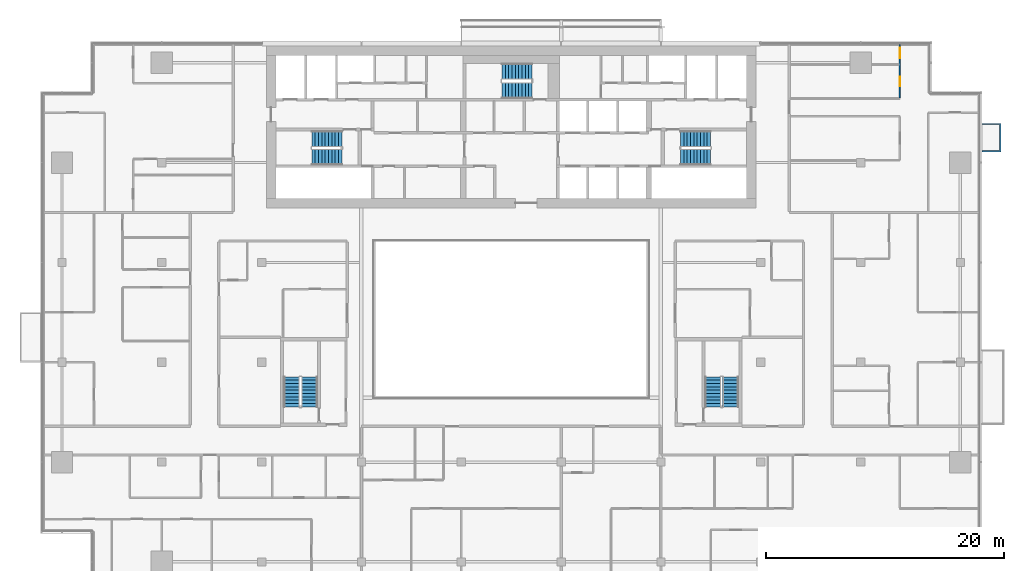
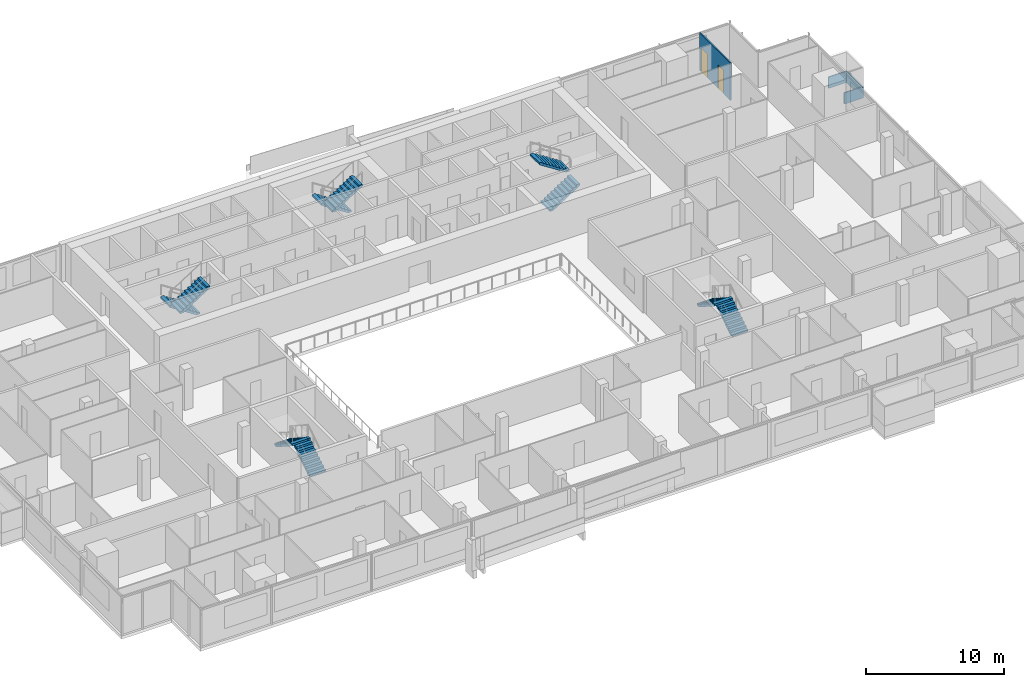
# One storey, part 24 of 27: 10 stair flights, 2 doors, 2 walls, 2 openings, 5 elements without a shape of their own.
"""IFC4 building model written with IfcOpenShell, lengths in metres."""

from ifc_helpers import new_model, si_unit, direction, frame, frame_2d, origin, place, context, subcontext, project, spatial, polyline, rectangle, outline, extrude, material, layer, layer_set, type_object, element, fill, aggregate, save


model = new_model("IFC4")

# Units and contexts
model_context = context("Model", 3, precision=1e-05, world=origin(), true_north=direction((0.0, 1.0)))
body_context = subcontext(model_context, "Body", "Model", "MODEL_VIEW")
ifc_project = project(units=[si_unit("LENGTHUNIT", "METRE"), si_unit("AREAUNIT", "SQUARE_METRE"), si_unit("VOLUMEUNIT", "CUBIC_METRE"), si_unit("PLANEANGLEUNIT", "RADIAN"), si_unit("MASSUNIT", "GRAM", prefix="KILO")], contexts=[model_context])

# Site, building, storey
site_placement = place(None, origin())
site = spatial("IfcSite", under=ifc_project, at=site_placement, CompositionType="ELEMENT")
building_placement = place(site_placement, origin())
building = spatial("IfcBuilding", under=site, at=building_placement, Name="Saffron Gate Tower", CompositionType="ELEMENT")
storey_placement = place(building_placement, frame((0.0, 0.0, 172.64990234375)))
storey = spatial("IfcBuildingStorey", under=building, at=storey_placement, Name="L42", CompositionType="ELEMENT", Elevation=172.64990234375)

# Wall, openings, doors
ifc_material_1 = material(Name="Plasterboard on steel studs", Category="steel")
ifc_layer_1 = layer(ifc_material_1, 0.10009765625)
ifc_layer_set_1 = layer_set([ifc_layer_1], Name="PW1 Partition 100")
wall_type_1 = type_object("IfcWallType", Name="PW1 Partition 100", PredefinedType="PARTITIONING", material=ifc_layer_set_1)
wall_1_placement = place(storey_placement, frame((120.300048828125, 70.85009765625, 0.0), z_axis=(0.0, 0.0, 1.0), x_axis=(0.0, 1.0, 0.0)))
wall_1 = element("IfcWall", 1, at=wall_1_placement, inside=storey, type_object=wall_type_1, Name="Partition C3-114", PredefinedType="PARTITIONING", context=body_context, shape_type="SweptSolid", body=[
    extrude(rectangle(XDim=4.469970703125, YDim=0.10009765625, at=frame_2d((2.23486328125, 0.0))), origin(), (0.0, 0.0, 1.0), 3.320068359375),
])
opening_1_placement = place(wall_1_placement, frame((0.974609375, 0.0, 0.0)))
opening_1 = element("IfcOpeningElement", 2, at=opening_1_placement, cuts=wall_1, Name="Opening C3-52", PredefinedType="OPENING", context=body_context, shape_type="SweptSolid", body=[
    extrude(rectangle(XDim=0.800048828125, YDim=2.10009765625, at=frame_2d((0.39990234375, 1.050048828125))), frame((0.0, 0.06005859375, 0.0), z_axis=(0.0, -1.0, 0.0), x_axis=(1.0, 0.0, 0.0)), (0.0, 0.0, 1.0), 0.1201171875),
])
opening_2_placement = place(wall_1_placement, frame((3.32470703125, 0.0, 0.0)))
opening_2 = element("IfcOpeningElement", 3, at=opening_2_placement, cuts=wall_1, Name="Opening C3-37", PredefinedType="OPENING", context=body_context, shape_type="SweptSolid", body=[
    extrude(rectangle(XDim=0.89990234375, YDim=2.10009765625, at=frame_2d((0.449951171875, 1.050048828125))), frame((0.0, 0.06005859375, 0.0), z_axis=(0.0, -1.0, 0.0), x_axis=(1.0, 0.0, 0.0)), (0.0, 0.0, 1.0), 0.1201171875),
])
ifc_material_2 = material(Name="Timber door set", Category="wood")
door_type_1 = type_object("IfcDoorType", Name="RD1 Room door 900x2100", OperationType="NOTDEFINED", PredefinedType="DOOR", material=ifc_material_2)
door_1_placement = place(opening_2_placement, origin())
door_1 = element("IfcDoor", 4, at=door_1_placement, inside=storey, type_object=door_type_1, Name="Door C3-37", OperationType="SINGLE_SWING_RIGHT", OverallHeight=2.10009765625, OverallWidth=0.89990234375, PredefinedType="DOOR", context=body_context, shape_type="SweptSolid", body=[
    extrude(rectangle(XDim=0.89990234375, YDim=2.10009765625, at=frame_2d((0.449951171875, 1.050048828125))), frame((0.0, 0.02490234375, 0.0), z_axis=(0.0, -1.0, 0.0), x_axis=(1.0, 0.0, 0.0)), (0.0, 0.0, 1.0), 0.050048828125),
])
fill(opening_2, door_1)
door_type_2 = type_object("IfcDoorType", Name="RD2 Bathroom door 800x2100", OperationType="NOTDEFINED", PredefinedType="DOOR", material=ifc_material_2)
door_2_placement = place(opening_1_placement, origin())
door_2 = element("IfcDoor", 5, at=door_2_placement, inside=storey, type_object=door_type_2, Name="Door C3-52", OperationType="SINGLE_SWING_LEFT", OverallHeight=2.10009765625, OverallWidth=0.800048828125, PredefinedType="DOOR", context=body_context, shape_type="SweptSolid", body=[
    extrude(rectangle(XDim=0.800048828125, YDim=2.10009765625, at=frame_2d((0.39990234375, 1.050048828125))), frame((0.0, 0.02490234375, 0.0), z_axis=(0.0, -1.0, 0.0), x_axis=(1.0, 0.0, 0.0)), (0.0, 0.0, 1.0), 0.050048828125),
])
fill(opening_1, door_2)

# Wall
ifc_material_3 = material(Name="Rendered insulated panel, white")
ifc_layer_2 = layer(ifc_material_3, 0.10009765625)
ifc_layer_set_2 = layer_set([ifc_layer_2], Name="WB3 box parapet white")
wall_type_2 = type_object("IfcWallType", Name="WB3 box parapet white", PredefinedType="SOLIDWALL", material=ifc_layer_set_2)
wall_2_placement = place(storey_placement, origin())
element("IfcWall", 6, at=wall_2_placement, inside=storey, type_object=wall_type_2, Name="WINDOW BOX parapet", PredefinedType="SOLIDWALL", context=body_context, shape_type="SweptSolid", body=[
    extrude(outline(polyline([(127.199951171875, 66.300048828125), (127.199951171875, 66.39990234375), (128.699951171875, 66.39990234375), (128.699951171875, 68.60009765625), (127.199951171875, 68.60009765625), (127.199951171875, 68.699951171875), (128.800048828125, 68.699951171875), (128.800048828125, 66.300048828125), (127.199951171875, 66.300048828125)])), origin(), (0.0, 0.0, 1.0), 1.0),
])

# Stair, stair flights
ifc_material_4 = material(Name="Concrete C40", Category="concrete")
stair_type = type_object("IfcStairType", Name="ST7 Stair 1350 wide, 20 risers of 180", PredefinedType="HALF_TURN_STAIR", material=ifc_material_4)
stair_1_placement = place(storey_placement, origin())
stair_1 = element("IfcStair", 7, at=stair_1_placement, inside=storey, type_object=stair_type, Name="L42 Exit stair A", PredefinedType="HALF_TURN_STAIR")
stair_flight_type = type_object("IfcStairFlightType", Name="SF3 Stair flight 1350 wide, riser 180 going 280", PredefinedType="STRAIGHT", material=ifc_material_4)
stair_flight_1_placement = place(storey_placement, frame((73.35009765625, 67.375, 0.0), z_axis=(0.0, 0.0, 1.0), x_axis=(-1.0, 0.0, 0.0)))
stair_flight_1 = element("IfcStairFlight", 8, at=stair_flight_1_placement, type_object=stair_flight_type, Name="ST-A flight 1", NumberOfRisers=10, NumberOfTreads=9, PredefinedType="STRAIGHT", RiserHeight=0.18, TreadLength=0.28, context=body_context, shape_type="SweptSolid", body=[
    extrude(outline(polyline([(0.0, 0.0), (0.0, 0.179931640625), (0.280029296875, 0.179931640625), (0.280029296875, 0.360107421875), (0.56005859375, 0.360107421875), (0.56005859375, 0.5400390625), (0.840087890625, 0.5400390625), (0.840087890625, 0.719970703125), (1.1201171875, 0.719970703125), (1.1201171875, 0.89990234375), (1.39990234375, 0.89990234375), (1.39990234375, 1.080078125), (1.679931640625, 1.080078125), (1.679931640625, 1.260009765625), (1.9599609375, 1.260009765625), (1.9599609375, 1.43994140625), (2.239990234375, 1.43994140625), (2.239990234375, 1.6201171875), (2.52001953125, 1.6201171875), (2.52001953125, 1.800048828125), (2.52001953125, 1.44189453125), (0.277099609375, 0.0), (0.0, 0.0)])), frame((0.0, 0.675048828125, 0.0), z_axis=(0.0, -1.0, 0.0), x_axis=(1.0, 0.0, 0.0)), (0.0, 0.0, 1.0), 1.35009765625),
])
stair_flight_2_placement = place(storey_placement, frame((70.830078125, 65.875, 1.800048828125), z_axis=(0.0, 0.0, 1.0), x_axis=(1.0, 0.0, 0.0)))
stair_flight_2 = element("IfcStairFlight", 9, at=stair_flight_2_placement, type_object=stair_flight_type, Name="ST-A flight 2", NumberOfRisers=10, NumberOfTreads=9, PredefinedType="STRAIGHT", RiserHeight=0.18, TreadLength=0.28, context=body_context, shape_type="SweptSolid", body=[
    extrude(outline(polyline([(0.0, 0.0), (0.0, 0.179931640625), (0.280029296875, 0.179931640625), (0.280029296875, 0.360107421875), (0.56005859375, 0.360107421875), (0.56005859375, 0.5400390625), (0.840087890625, 0.5400390625), (0.840087890625, 0.719970703125), (1.1201171875, 0.719970703125), (1.1201171875, 0.89990234375), (1.39990234375, 0.89990234375), (1.39990234375, 1.080078125), (1.679931640625, 1.080078125), (1.679931640625, 1.260009765625), (1.9599609375, 1.260009765625), (1.9599609375, 1.43994140625), (2.239990234375, 1.43994140625), (2.239990234375, 1.6201171875), (2.52001953125, 1.6201171875), (2.52001953125, 1.800048828125), (2.52001953125, 1.44189453125), (0.277099609375, 0.0), (0.0, 0.0)])), frame((0.0, 0.675048828125, 0.0), z_axis=(0.0, -1.0, 0.0), x_axis=(1.0, 0.0, 0.0)), (0.0, 0.0, 1.0), 1.35009765625),
])
aggregate(stair_1, [stair_flight_1, stair_flight_2])

stair_2_placement = place(storey_placement, origin())
stair_2 = element("IfcStair", 10, at=stair_2_placement, inside=storey, type_object=stair_type, Name="L42 Exit stair B", PredefinedType="HALF_TURN_STAIR")
stair_flight_3_placement = place(storey_placement, frame((101.85009765625, 65.875, 0.0), z_axis=(0.0, 0.0, 1.0), x_axis=(1.0, 0.0, 0.0)))
stair_flight_3 = element("IfcStairFlight", 11, at=stair_flight_3_placement, type_object=stair_flight_type, Name="ST-B flight 1", NumberOfRisers=10, NumberOfTreads=9, PredefinedType="STRAIGHT", RiserHeight=0.18, TreadLength=0.28, context=body_context, shape_type="SweptSolid", body=[
    extrude(outline(polyline([(0.0, 0.0), (0.0, 0.179931640625), (0.280029296875, 0.179931640625), (0.280029296875, 0.360107421875), (0.56005859375, 0.360107421875), (0.56005859375, 0.5400390625), (0.840087890625, 0.5400390625), (0.840087890625, 0.719970703125), (1.1201171875, 0.719970703125), (1.1201171875, 0.89990234375), (1.39990234375, 0.89990234375), (1.39990234375, 1.080078125), (1.679931640625, 1.080078125), (1.679931640625, 1.260009765625), (1.9599609375, 1.260009765625), (1.9599609375, 1.43994140625), (2.239990234375, 1.43994140625), (2.239990234375, 1.6201171875), (2.52001953125, 1.6201171875), (2.52001953125, 1.800048828125), (2.52001953125, 1.44189453125), (0.277099609375, 0.0), (0.0, 0.0)])), frame((0.0, 0.675048828125, 0.0), z_axis=(0.0, -1.0, 0.0), x_axis=(1.0, 0.0, 0.0)), (0.0, 0.0, 1.0), 1.35009765625),
])
stair_flight_4_placement = place(storey_placement, frame((104.3701171875, 67.375, 1.800048828125), z_axis=(0.0, 0.0, 1.0), x_axis=(-1.0, 0.0, 0.0)))
stair_flight_4 = element("IfcStairFlight", 12, at=stair_flight_4_placement, type_object=stair_flight_type, Name="ST-B flight 2", NumberOfRisers=10, NumberOfTreads=9, PredefinedType="STRAIGHT", RiserHeight=0.18, TreadLength=0.28, context=body_context, shape_type="SweptSolid", body=[
    extrude(outline(polyline([(0.0, 0.0), (0.0, 0.179931640625), (0.280029296875, 0.179931640625), (0.280029296875, 0.360107421875), (0.56005859375, 0.360107421875), (0.56005859375, 0.5400390625), (0.840087890625, 0.5400390625), (0.840087890625, 0.719970703125), (1.1201171875, 0.719970703125), (1.1201171875, 0.89990234375), (1.39990234375, 0.89990234375), (1.39990234375, 1.080078125), (1.679931640625, 1.080078125), (1.679931640625, 1.260009765625), (1.9599609375, 1.260009765625), (1.9599609375, 1.43994140625), (2.239990234375, 1.43994140625), (2.239990234375, 1.6201171875), (2.52001953125, 1.6201171875), (2.52001953125, 1.800048828125), (2.52001953125, 1.44189453125), (0.277099609375, 0.0), (0.0, 0.0)])), frame((0.0, 0.675048828125, 0.0), z_axis=(0.0, -1.0, 0.0), x_axis=(1.0, 0.0, 0.0)), (0.0, 0.0, 1.0), 1.35009765625),
])
aggregate(stair_2, [stair_flight_3, stair_flight_4])

stair_3_placement = place(storey_placement, origin())
stair_3 = element("IfcStair", 13, at=stair_3_placement, inside=storey, type_object=stair_type, Name="L42 Exit stair C", PredefinedType="HALF_TURN_STAIR")
stair_flight_5_placement = place(storey_placement, frame((89.35009765625, 73.074951171875, 0.0), z_axis=(0.0, 0.0, 1.0), x_axis=(-1.0, 0.0, 0.0)))
stair_flight_5 = element("IfcStairFlight", 14, at=stair_flight_5_placement, type_object=stair_flight_type, Name="ST-C flight 1", NumberOfRisers=10, NumberOfTreads=9, PredefinedType="STRAIGHT", RiserHeight=0.18, TreadLength=0.28, context=body_context, shape_type="SweptSolid", body=[
    extrude(outline(polyline([(0.0, 0.0), (0.0, 0.179931640625), (0.280029296875, 0.179931640625), (0.280029296875, 0.360107421875), (0.56005859375, 0.360107421875), (0.56005859375, 0.5400390625), (0.840087890625, 0.5400390625), (0.840087890625, 0.719970703125), (1.1201171875, 0.719970703125), (1.1201171875, 0.89990234375), (1.39990234375, 0.89990234375), (1.39990234375, 1.080078125), (1.679931640625, 1.080078125), (1.679931640625, 1.260009765625), (1.9599609375, 1.260009765625), (1.9599609375, 1.43994140625), (2.239990234375, 1.43994140625), (2.239990234375, 1.6201171875), (2.52001953125, 1.6201171875), (2.52001953125, 1.800048828125), (2.52001953125, 1.44189453125), (0.277099609375, 0.0), (0.0, 0.0)])), frame((0.0, 0.675048828125, 0.0), z_axis=(0.0, -1.0, 0.0), x_axis=(1.0, 0.0, 0.0)), (0.0, 0.0, 1.0), 1.35009765625),
])
stair_flight_6_placement = place(storey_placement, frame((86.830078125, 71.47509765625, 1.800048828125), z_axis=(0.0, 0.0, 1.0), x_axis=(1.0, 0.0, 0.0)))
stair_flight_6 = element("IfcStairFlight", 15, at=stair_flight_6_placement, type_object=stair_flight_type, Name="ST-C flight 2", NumberOfRisers=10, NumberOfTreads=9, PredefinedType="STRAIGHT", RiserHeight=0.18, TreadLength=0.28, context=body_context, shape_type="SweptSolid", body=[
    extrude(outline(polyline([(0.0, 0.0), (0.0, 0.179931640625), (0.280029296875, 0.179931640625), (0.280029296875, 0.360107421875), (0.56005859375, 0.360107421875), (0.56005859375, 0.5400390625), (0.840087890625, 0.5400390625), (0.840087890625, 0.719970703125), (1.1201171875, 0.719970703125), (1.1201171875, 0.89990234375), (1.39990234375, 0.89990234375), (1.39990234375, 1.080078125), (1.679931640625, 1.080078125), (1.679931640625, 1.260009765625), (1.9599609375, 1.260009765625), (1.9599609375, 1.43994140625), (2.239990234375, 1.43994140625), (2.239990234375, 1.6201171875), (2.52001953125, 1.6201171875), (2.52001953125, 1.800048828125), (2.52001953125, 1.44189453125), (0.277099609375, 0.0), (0.0, 0.0)])), frame((0.0, 0.675048828125, 0.0), z_axis=(0.0, -1.0, 0.0), x_axis=(1.0, 0.0, 0.0)), (0.0, 0.0, 1.0), 1.35009765625),
])
aggregate(stair_3, [stair_flight_5, stair_flight_6])

stair_4_placement = place(storey_placement, origin())
stair_4 = element("IfcStair", 16, at=stair_4_placement, inside=storey, type_object=stair_type, Name="L42 Exit stair D", PredefinedType="HALF_TURN_STAIR")
stair_flight_7_placement = place(storey_placement, frame((70.625, 44.85009765625, 0.0), z_axis=(0.0, 0.0, 1.0), x_axis=(0.0, 1.0, 0.0)))
stair_flight_7 = element("IfcStairFlight", 17, at=stair_flight_7_placement, type_object=stair_flight_type, Name="ST-D flight 1", NumberOfRisers=10, NumberOfTreads=9, PredefinedType="STRAIGHT", RiserHeight=0.18, TreadLength=0.28, context=body_context, shape_type="SweptSolid", body=[
    extrude(outline(polyline([(0.0, 0.0), (0.0, 0.179931640625), (0.280029296875, 0.179931640625), (0.280029296875, 0.360107421875), (0.56005859375, 0.360107421875), (0.56005859375, 0.5400390625), (0.840087890625, 0.5400390625), (0.840087890625, 0.719970703125), (1.1201171875, 0.719970703125), (1.1201171875, 0.89990234375), (1.39990234375, 0.89990234375), (1.39990234375, 1.080078125), (1.679931640625, 1.080078125), (1.679931640625, 1.260009765625), (1.9599609375, 1.260009765625), (1.9599609375, 1.43994140625), (2.239990234375, 1.43994140625), (2.239990234375, 1.6201171875), (2.52001953125, 1.6201171875), (2.52001953125, 1.800048828125), (2.52001953125, 1.44189453125), (0.277099609375, 0.0), (0.0, 0.0)])), frame((0.0, 0.675048828125, 0.0), z_axis=(0.0, -1.0, 0.0), x_axis=(1.0, 0.0, 0.0)), (0.0, 0.0, 1.0), 1.35009765625),
])
stair_flight_8_placement = place(storey_placement, frame((69.125, 47.3701171875, 1.800048828125), z_axis=(0.0, 0.0, 1.0), x_axis=(0.0, -1.0, 0.0)))
stair_flight_8 = element("IfcStairFlight", 18, at=stair_flight_8_placement, type_object=stair_flight_type, Name="ST-D flight 2", NumberOfRisers=10, NumberOfTreads=9, PredefinedType="STRAIGHT", RiserHeight=0.18, TreadLength=0.28, context=body_context, shape_type="SweptSolid", body=[
    extrude(outline(polyline([(0.0, 0.0), (0.0, 0.179931640625), (0.280029296875, 0.179931640625), (0.280029296875, 0.360107421875), (0.56005859375, 0.360107421875), (0.56005859375, 0.5400390625), (0.840087890625, 0.5400390625), (0.840087890625, 0.719970703125), (1.1201171875, 0.719970703125), (1.1201171875, 0.89990234375), (1.39990234375, 0.89990234375), (1.39990234375, 1.080078125), (1.679931640625, 1.080078125), (1.679931640625, 1.260009765625), (1.9599609375, 1.260009765625), (1.9599609375, 1.43994140625), (2.239990234375, 1.43994140625), (2.239990234375, 1.6201171875), (2.52001953125, 1.6201171875), (2.52001953125, 1.800048828125), (2.52001953125, 1.44189453125), (0.277099609375, 0.0), (0.0, 0.0)])), frame((0.0, 0.675048828125, 0.0), z_axis=(0.0, -1.0, 0.0), x_axis=(1.0, 0.0, 0.0)), (0.0, 0.0, 1.0), 1.35009765625),
])
aggregate(stair_4, [stair_flight_7, stair_flight_8])

stair_5_placement = place(storey_placement, origin())
stair_5 = element("IfcStair", 19, at=stair_5_placement, inside=storey, type_object=stair_type, Name="L42 Exit stair E", PredefinedType="HALF_TURN_STAIR")
stair_flight_9_placement = place(storey_placement, frame((106.074951171875, 44.85009765625, 0.0), z_axis=(0.0, 0.0, 1.0), x_axis=(0.0, 1.0, 0.0)))
stair_flight_9 = element("IfcStairFlight", 20, at=stair_flight_9_placement, type_object=stair_flight_type, Name="ST-E flight 1", NumberOfRisers=10, NumberOfTreads=9, PredefinedType="STRAIGHT", RiserHeight=0.18, TreadLength=0.28, context=body_context, shape_type="SweptSolid", body=[
    extrude(outline(polyline([(0.0, 0.0), (0.0, 0.179931640625), (0.280029296875, 0.179931640625), (0.280029296875, 0.360107421875), (0.56005859375, 0.360107421875), (0.56005859375, 0.5400390625), (0.840087890625, 0.5400390625), (0.840087890625, 0.719970703125), (1.1201171875, 0.719970703125), (1.1201171875, 0.89990234375), (1.39990234375, 0.89990234375), (1.39990234375, 1.080078125), (1.679931640625, 1.080078125), (1.679931640625, 1.260009765625), (1.9599609375, 1.260009765625), (1.9599609375, 1.43994140625), (2.239990234375, 1.43994140625), (2.239990234375, 1.6201171875), (2.52001953125, 1.6201171875), (2.52001953125, 1.800048828125), (2.52001953125, 1.44189453125), (0.277099609375, 0.0), (0.0, 0.0)])), frame((0.0, 0.675048828125, 0.0), z_axis=(0.0, -1.0, 0.0), x_axis=(1.0, 0.0, 0.0)), (0.0, 0.0, 1.0), 1.35009765625),
])
stair_flight_10_placement = place(storey_placement, frame((104.574951171875, 47.3701171875, 1.800048828125), z_axis=(0.0, 0.0, 1.0), x_axis=(0.0, -1.0, 0.0)))
stair_flight_10 = element("IfcStairFlight", 21, at=stair_flight_10_placement, type_object=stair_flight_type, Name="ST-E flight 2", NumberOfRisers=10, NumberOfTreads=9, PredefinedType="STRAIGHT", RiserHeight=0.18, TreadLength=0.28, context=body_context, shape_type="SweptSolid", body=[
    extrude(outline(polyline([(0.0, 0.0), (0.0, 0.179931640625), (0.280029296875, 0.179931640625), (0.280029296875, 0.360107421875), (0.56005859375, 0.360107421875), (0.56005859375, 0.5400390625), (0.840087890625, 0.5400390625), (0.840087890625, 0.719970703125), (1.1201171875, 0.719970703125), (1.1201171875, 0.89990234375), (1.39990234375, 0.89990234375), (1.39990234375, 1.080078125), (1.679931640625, 1.080078125), (1.679931640625, 1.260009765625), (1.9599609375, 1.260009765625), (1.9599609375, 1.43994140625), (2.239990234375, 1.43994140625), (2.239990234375, 1.6201171875), (2.52001953125, 1.6201171875), (2.52001953125, 1.800048828125), (2.52001953125, 1.44189453125), (0.277099609375, 0.0), (0.0, 0.0)])), frame((0.0, 0.675048828125, 0.0), z_axis=(0.0, -1.0, 0.0), x_axis=(1.0, 0.0, 0.0)), (0.0, 0.0, 1.0), 1.35009765625),
])
aggregate(stair_5, [stair_flight_9, stair_flight_10])

save(model, "model.ifc")
